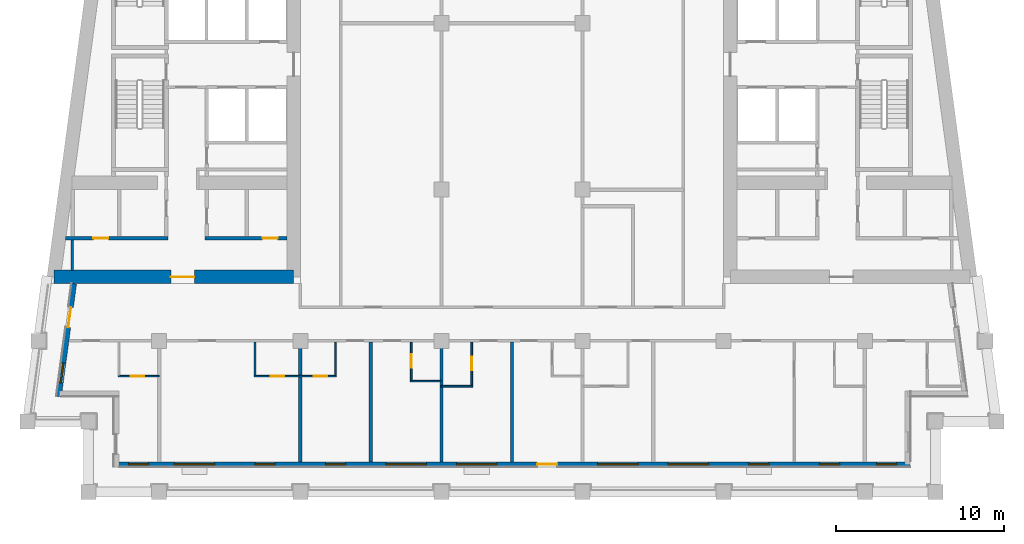
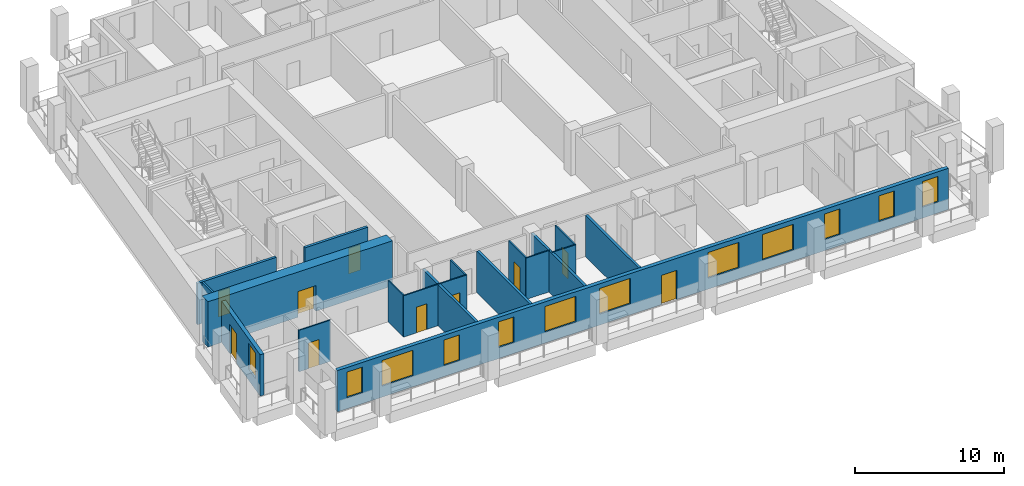
# One storey, part 2 of 13: 18 walls, 12 windows, 10 doors, 22 openings.
"""IFC4 building model written with IfcOpenShell, lengths in metres."""

import ifcopenshell
import ifcopenshell.guid

model = None  # the IFC model being written
_history = None  # IfcOwnerHistory: only IFC2X3 demands one
_inside = {}  # id of a spatial element -> (the spatial element, [elements in it])
_under = {}  # id of a project, library or spatial element -> (it, [spatial elements below it])
_declared = {}  # id of a project -> (the project, [libraries it declares])
_typed = {}  # id of a type object -> (the type object, [elements of that type])
_made_of = {}  # id of a material, layer set ... -> (it, [elements and type objects made of it])


def new_model(schema):
    """Start an empty IFC model of exactly this schema.

    Asked for "IFC4X3", IfcOpenShell would pick the latest addendum, in which some entities
    have other attributes; the version numbers below select the first issue.
    IFC2X3 requires an IfcOwnerHistory on every rooted entity: one is made here for all.
    """
    global model, _history
    if schema == "IFC4X3":
        model = ifcopenshell.file(schema_version=(4, 3, 0, 0))
    else:
        model = ifcopenshell.file(schema=schema)
    _inside.clear()
    _under.clear()
    _declared.clear()
    _typed.clear()
    _made_of.clear()
    _history = None
    if model.schema == "IFC2X3":
        org = make("IfcOrganization", Name="unknown")
        user = make(
            "IfcPersonAndOrganization",
            ThePerson=make("IfcPerson", FamilyName="unknown"),
            TheOrganization=org,
        )
        app = make(
            "IfcApplication",
            ApplicationDeveloper=org,
            Version="unknown",
            ApplicationFullName="unknown",
            ApplicationIdentifier="unknown",
        )
        _history = make(
            "IfcOwnerHistory",
            OwningUser=user,
            OwningApplication=app,
            ChangeAction="ADDED",
            CreationDate=0,
        )
    return model


def make(cls, **values):
    """One entity of the class cls with the attributes given. An attribute that is None is left unset."""
    return model.create_entity(
        cls, **{name: value for name, value in values.items() if value is not None}
    )


def rooted(cls, **values):
    """An entity with a GlobalId (a new one), such as an element, a storey or a relation."""
    return make(cls, GlobalId=ifcopenshell.guid.new(), OwnerHistory=_history, **values)


def si_unit(unit_type, name, prefix=None):
    """IfcSIUnit, for example si_unit("LENGTHUNIT", "METRE", prefix="MILLI")."""
    return make("IfcSIUnit", UnitType=unit_type, Prefix=prefix, Name=name)


def assignment(units):
    """IfcUnitAssignment: the units of a project."""
    return None if units is None else make("IfcUnitAssignment", Units=units)


def point(xyz):
    """IfcCartesianPoint."""
    return None if xyz is None else make("IfcCartesianPoint", Coordinates=xyz)


def direction(xyz):
    """IfcDirection."""
    return None if xyz is None else make("IfcDirection", DirectionRatios=xyz)


def frame(location, z_axis=None, x_axis=None):
    """IfcAxis2Placement3D, a coordinate frame: its origin and axes. An axis left out is left unset."""
    return make(
        "IfcAxis2Placement3D",
        Location=point(location),
        Axis=direction(z_axis),
        RefDirection=direction(x_axis),
    )


def frame_2d(location, x_axis=None):
    """IfcAxis2Placement2D, a coordinate frame in the plane: its origin and x axis."""
    return make(
        "IfcAxis2Placement2D", Location=point(location), RefDirection=direction(x_axis)
    )


def origin():
    """The frame at (0, 0, 0) with its axes left unset."""
    return frame((0.0, 0.0, 0.0))


def place(relative_to, where):
    """IfcLocalPlacement: puts the frame where relative to a parent placement (None: the world)."""
    return make(
        "IfcLocalPlacement", PlacementRelTo=relative_to, RelativePlacement=where
    )


def context(
    kind, dimensions, precision=None, world=None, true_north=None, identifier=None
):
    """IfcGeometricRepresentationContext, for example the 3D "Model" context."""
    return make(
        "IfcGeometricRepresentationContext",
        ContextIdentifier=identifier,
        ContextType=kind,
        CoordinateSpaceDimension=dimensions,
        Precision=precision,
        WorldCoordinateSystem=world,
        TrueNorth=true_north,
    )


def subcontext(parent, identifier, kind, view, scale=None):
    """IfcGeometricRepresentationSubContext, for example "Body" below "Model"."""
    return make(
        "IfcGeometricRepresentationSubContext",
        ContextIdentifier=identifier,
        ContextType=kind,
        ParentContext=parent,
        TargetScale=scale,
        TargetView=view,
    )


def project(units=None, contexts=None):
    """IfcProject with its units and contexts."""
    return rooted(
        "IfcProject",
        Name="project",
        RepresentationContexts=contexts,
        UnitsInContext=assignment(units),
    )


def spatial(cls, under=None, at=None, **own):
    """A site, building, storey or space (cls), placed at a placement, below another one or the project."""
    s = rooted(cls, ObjectPlacement=at, **own)
    if under is not None:
        _under.setdefault(under.id(), (under, []))[1].append(s)
    return s


def profile(cls, at=None, kind="AREA", **sizes):
    """A parametric profile (cls). Its sizes go by their IFC names, for example OverallWidth=200.0."""
    return make(cls, ProfileType=kind, Position=at, **sizes)


def rectangle(**sizes):
    """IfcRectangleProfileDef."""
    return profile("IfcRectangleProfileDef", **sizes)


def extrude(swept, where, along, depth):
    """IfcExtrudedAreaSolid: the profile swept, set in the frame where, extruded along a direction by depth."""
    return make(
        "IfcExtrudedAreaSolid",
        SweptArea=swept,
        Position=where,
        ExtrudedDirection=direction(along),
        Depth=depth,
    )


def shape(context_of_items, identifier, shape_type, items):
    """IfcShapeRepresentation: the items that make up one representation, for example the "Body"."""
    return make(
        "IfcShapeRepresentation",
        ContextOfItems=context_of_items,
        RepresentationIdentifier=identifier,
        RepresentationType=shape_type,
        Items=items,
    )


def material(Name=None, Category=None):
    """IfcMaterial."""
    return make("IfcMaterial", Name=Name, Category=Category)


def layer(
    of_material, thickness, ventilated=None, Name=None, Category=None, Priority=None
):
    """IfcMaterialLayer: one layer of a wall or slab, of a material (None: an air gap)."""
    return make(
        "IfcMaterialLayer",
        Material=of_material,
        LayerThickness=thickness,
        IsVentilated=ventilated,
        Name=Name,
        Category=Category,
        Priority=Priority,
    )


def layer_set(layers, Name=None):
    """IfcMaterialLayerSet."""
    return make("IfcMaterialLayerSet", MaterialLayers=layers, LayerSetName=Name)


def made_of(thing, what):
    """Note that an element or type object is made of a material, layer set ...; save() writes the relation."""
    if what is not None:
        _made_of.setdefault(what.id(), (what, []))[1].append(thing)
    return thing


def type_object(cls, material=None, **own):
    """A type object (cls), such as IfcWallType, which elements share."""
    return made_of(rooted(cls, **own), material)


def element(
    cls,
    number,
    at=None,
    inside=None,
    cuts=None,
    type_object=None,
    material=None,
    context=None,
    identifier="Body",
    shape_type=None,
    held_by="IfcProductDefinitionShape",
    body=None,
    shapes=None,
    **own,
):
    """One element of the class cls, such as IfcWall. Its Tag is "e" and its number.

    at: its placement. inside: the storey or other place that contains it. cuts: it is an
    opening in that element (IfcRelVoidsElement). A single representation is given by context,
    identifier, shape_type and body (its items); several are given by shapes. held_by: the class
    of the entity that holds the representations. save() writes the other relations.
    """
    e = rooted(cls, Tag="e%d" % number, ObjectPlacement=at, **own)
    if body is not None:
        shapes = [shape(context, identifier, shape_type, body)]
    if shapes is not None:
        e.Representation = make(held_by, Representations=shapes)
    if inside is not None:
        _inside.setdefault(inside.id(), (inside, []))[1].append(e)
    if cuts is not None:
        rooted(
            "IfcRelVoidsElement", RelatingBuildingElement=cuts, RelatedOpeningElement=e
        )
    if type_object is not None:
        _typed.setdefault(type_object.id(), (type_object, []))[1].append(e)
    return made_of(e, material)


def fill(opening, filler):
    """IfcRelFillsElement: the door or window that sits in an opening."""
    return rooted(
        "IfcRelFillsElement",
        RelatingOpeningElement=opening,
        RelatedBuildingElement=filler,
    )


def aggregate(whole, parts):
    """IfcRelAggregates: a whole, such as a stair, and the parts it consists of."""
    return rooted("IfcRelAggregates", RelatingObject=whole, RelatedObjects=parts)


def save(model, path):
    """Write the relations noted so far, then the file.

    IfcRelAggregates (storeys below a building ...), IfcRelContainedInSpatialStructure (elements
    in a storey), IfcRelDefinesByType, IfcRelAssociatesMaterial and IfcRelDeclares: one each for
    every whole, place, type object, material and project.
    """
    for whole, parts in _under.values():
        aggregate(whole, parts)
    for where, things in _inside.values():
        rooted(
            "IfcRelContainedInSpatialStructure",
            RelatedElements=things,
            RelatingStructure=where,
        )
    for kind, things in _typed.values():
        rooted("IfcRelDefinesByType", RelatedObjects=things, RelatingType=kind)
    for what, things in _made_of.values():
        rooted("IfcRelAssociatesMaterial", RelatedObjects=things, RelatingMaterial=what)
    for by, libraries in _declared.values():
        rooted("IfcRelDeclares", RelatingContext=by, RelatedDefinitions=libraries)
    model.write(path)


model = new_model("IFC4")

# Units and contexts
model_context = context("Model", 3, precision=1e-05, world=origin(), true_north=direction((0.0, 1.0)))
body_context = subcontext(model_context, "Body", "Model", "MODEL_VIEW")
ifc_project = project(units=[si_unit("LENGTHUNIT", "METRE"), si_unit("AREAUNIT", "SQUARE_METRE"), si_unit("VOLUMEUNIT", "CUBIC_METRE"), si_unit("PLANEANGLEUNIT", "RADIAN"), si_unit("MASSUNIT", "GRAM", prefix="KILO")], contexts=[model_context])

# Site, building, storey
site_placement = place(None, origin())
site = spatial("IfcSite", under=ifc_project, at=site_placement, CompositionType="ELEMENT")
building_placement = place(site_placement, origin())
building = spatial("IfcBuilding", under=site, at=building_placement, Name="Candeia Pilgrim Tower and Theatre", CompositionType="ELEMENT")
storey_placement = place(building_placement, frame((0.0, 0.0, 239.199951171875)))
storey = spatial("IfcBuildingStorey", under=building, at=storey_placement, Name="L58", CompositionType="ELEMENT", Elevation=239.199951171875)

# Wall, opening, door
ifc_material_1 = material(Name="Concrete C50/60", Category="concrete")
ifc_layer_1 = layer(ifc_material_1, 0.800048828125)
ifc_layer_set_1 = layer_set([ifc_layer_1], Name="Core wall 800 C50/60")
wall_type_1 = type_object("IfcWallType", Name="Core wall 800 C50/60", PredefinedType="SHEAR", material=ifc_layer_set_1)
wall_1_placement = place(storey_placement, frame((100.39990234375, 110.800048828125, 0.0), z_axis=(0.0, 0.0, 1.0), x_axis=(-1.0, 0.0, 0.0)))
wall_1 = element("IfcWall", 1, at=wall_1_placement, inside=storey, type_object=wall_type_1, Name="Core wall W3", PredefinedType="SHEAR", context=body_context, shape_type="SweptSolid", body=[
    extrude(rectangle(XDim=14.273193359375, YDim=0.800048828125, at=frame_2d((7.13671875, 0.0))), origin(), (0.0, 0.0, 1.0), 3.699951171875),
])
opening_1_placement = place(wall_1_placement, frame((5.907958984375, 0.0, 0.0)))
opening_1 = element("IfcOpeningElement", 2, at=opening_1_placement, cuts=wall_1, Name="Opening L58-D056", PredefinedType="OPENING", context=body_context, shape_type="SweptSolid", body=[
    extrude(rectangle(XDim=1.39990234375, YDim=2.10009765625, at=frame_2d((0.699951171875, 1.050048828125))), frame((0.0, 0.41015625, 0.0), z_axis=(0.0, -1.0, 0.0), x_axis=(1.0, 0.0, 0.0)), (0.0, 0.0, 1.0), 0.820068359375),
])
ifc_material_2 = material(Name="Steel fire door set", Category="steel")
door_type_1 = type_object("IfcDoorType", Name="D-1400-FD60", OperationType="NOTDEFINED", PredefinedType="DOOR", material=ifc_material_2)
door_1_placement = place(opening_1_placement, origin())
door_1 = element("IfcDoor", 3, at=door_1_placement, inside=storey, type_object=door_type_1, Name="Door L58-D056", OperationType="SINGLE_SWING_RIGHT", OverallHeight=2.10009765625, OverallWidth=1.39990234375, PredefinedType="DOOR", context=body_context, shape_type="SweptSolid", body=[
    extrude(rectangle(XDim=1.39990234375, YDim=2.10009765625, at=frame_2d((0.699951171875, 1.050048828125))), frame((0.0, 0.02490234375, 0.0), z_axis=(0.0, -1.0, 0.0), x_axis=(1.0, 0.0, 0.0)), (0.0, 0.0, 1.0), 0.050048828125),
])
fill(opening_1, door_1)

# Wall, openings, door, windows
ifc_material_3 = material(Name="Ceramic block masonry", Category="masonry")
ifc_layer_2 = layer(ifc_material_3, 0.300048828125)
ifc_layer_set_2 = layer_set([ifc_layer_2], Name="EW1 glazing-line wall 300")
wall_type_2 = type_object("IfcWallType", Name="EW1 glazing-line wall 300", PredefinedType="SOLIDWALL", material=ifc_layer_set_2)
wall_2_placement = place(storey_placement, frame((89.85009765625, 99.64990234375, 0.0), z_axis=(0.0, 0.0, 1.0), x_axis=(1.0, 0.0, 0.0)))
wall_2 = element("IfcWall", 4, at=wall_2_placement, inside=storey, type_object=wall_type_2, Name="External wall L58-0.0", PredefinedType="SOLIDWALL", context=body_context, shape_type="SweptSolid", body=[
    extrude(rectangle(XDim=47.25, YDim=0.300048828125, at=frame_2d((23.625, 0.0))), origin(), (0.0, 0.0, 1.0), 3.380126953125),
])
opening_2_placement = place(wall_2_placement, frame((0.72509765625, 0.0, 0.89990234375)))
opening_2 = element("IfcOpeningElement", 5, at=opening_2_placement, cuts=wall_2, Name="Opening W-B", PredefinedType="OPENING", context=body_context, shape_type="SweptSolid", body=[
    extrude(rectangle(XDim=1.199951171875, YDim=2.10009765625, at=frame_2d((0.60009765625, 1.050048828125))), frame((0.0, 0.16015625, 0.0), z_axis=(0.0, -1.0, 0.0), x_axis=(1.0, 0.0, 0.0)), (0.0, 0.0, 1.0), 0.320068359375),
])
opening_3_placement = place(wall_2_placement, frame((3.449951171875, 0.0, 0.89990234375)))
opening_3 = element("IfcOpeningElement", 6, at=opening_3_placement, cuts=wall_2, Name="Opening W-A", PredefinedType="OPENING", context=body_context, shape_type="SweptSolid", body=[
    extrude(rectangle(XDim=2.39990234375, YDim=2.10009765625, at=frame_2d((1.199951171875, 1.050048828125))), frame((0.0, 0.16015625, 0.0), z_axis=(0.0, -1.0, 0.0), x_axis=(1.0, 0.0, 0.0)), (0.0, 0.0, 1.0), 0.320068359375),
])
opening_4_placement = place(wall_2_placement, frame((8.25, 0.0, 0.89990234375)))
opening_4 = element("IfcOpeningElement", 7, at=opening_4_placement, cuts=wall_2, Name="Opening W-B", PredefinedType="OPENING", context=body_context, shape_type="SweptSolid", body=[
    extrude(rectangle(XDim=1.199951171875, YDim=2.10009765625, at=frame_2d((0.60009765625, 1.050048828125))), frame((0.0, 0.16015625, 0.0), z_axis=(0.0, -1.0, 0.0), x_axis=(1.0, 0.0, 0.0)), (0.0, 0.0, 1.0), 0.320068359375),
])
opening_5_placement = place(wall_2_placement, frame((12.449951171875, 0.0, 0.89990234375)))
opening_5 = element("IfcOpeningElement", 8, at=opening_5_placement, cuts=wall_2, Name="Opening W-B", PredefinedType="OPENING", context=body_context, shape_type="SweptSolid", body=[
    extrude(rectangle(XDim=1.199951171875, YDim=2.10009765625, at=frame_2d((0.60009765625, 1.050048828125))), frame((0.0, 0.16015625, 0.0), z_axis=(0.0, -1.0, 0.0), x_axis=(1.0, 0.0, 0.0)), (0.0, 0.0, 1.0), 0.320068359375),
])
opening_6_placement = place(wall_2_placement, frame((16.050048828125, 0.0, 0.89990234375)))
opening_6 = element("IfcOpeningElement", 9, at=opening_6_placement, cuts=wall_2, Name="Opening W-A", PredefinedType="OPENING", context=body_context, shape_type="SweptSolid", body=[
    extrude(rectangle(XDim=2.39990234375, YDim=2.10009765625, at=frame_2d((1.199951171875, 1.050048828125))), frame((0.0, 0.16015625, 0.0), z_axis=(0.0, -1.0, 0.0), x_axis=(1.0, 0.0, 0.0)), (0.0, 0.0, 1.0), 0.320068359375),
])
opening_7_placement = place(wall_2_placement, frame((20.25, 0.0, 0.89990234375)))
opening_7 = element("IfcOpeningElement", 10, at=opening_7_placement, cuts=wall_2, Name="Opening W-A", PredefinedType="OPENING", context=body_context, shape_type="SweptSolid", body=[
    extrude(rectangle(XDim=2.39990234375, YDim=2.10009765625, at=frame_2d((1.199951171875, 1.050048828125))), frame((0.0, 0.16015625, 0.0), z_axis=(0.0, -1.0, 0.0), x_axis=(1.0, 0.0, 0.0)), (0.0, 0.0, 1.0), 0.320068359375),
])
opening_8_placement = place(wall_2_placement, frame((25.050048828125, 0.0, 0.0)))
opening_8 = element("IfcOpeningElement", 11, at=opening_8_placement, cuts=wall_2, Name="Opening L58-ED557", PredefinedType="OPENING", context=body_context, shape_type="SweptSolid", body=[
    extrude(rectangle(XDim=1.199951171875, YDim=2.39990234375, at=frame_2d((0.60009765625, 1.199951171875))), frame((0.0, 0.16015625, 0.0), z_axis=(0.0, -1.0, 0.0), x_axis=(1.0, 0.0, 0.0)), (0.0, 0.0, 1.0), 0.320068359375),
])
opening_9_placement = place(wall_2_placement, frame((28.64990234375, 0.0, 0.89990234375)))
opening_9 = element("IfcOpeningElement", 12, at=opening_9_placement, cuts=wall_2, Name="Opening W-A", PredefinedType="OPENING", context=body_context, shape_type="SweptSolid", body=[
    extrude(rectangle(XDim=2.39990234375, YDim=2.10009765625, at=frame_2d((1.199951171875, 1.050048828125))), frame((0.0, 0.16015625, 0.0), z_axis=(0.0, -1.0, 0.0), x_axis=(1.0, 0.0, 0.0)), (0.0, 0.0, 1.0), 0.320068359375),
])
opening_10_placement = place(wall_2_placement, frame((32.85009765625, 0.0, 0.89990234375)))
opening_10 = element("IfcOpeningElement", 13, at=opening_10_placement, cuts=wall_2, Name="Opening W-A", PredefinedType="OPENING", context=body_context, shape_type="SweptSolid", body=[
    extrude(rectangle(XDim=2.39990234375, YDim=2.10009765625, at=frame_2d((1.199951171875, 1.050048828125))), frame((0.0, 0.16015625, 0.0), z_axis=(0.0, -1.0, 0.0), x_axis=(1.0, 0.0, 0.0)), (0.0, 0.0, 1.0), 0.320068359375),
])
opening_11_placement = place(wall_2_placement, frame((37.64990234375, 0.0, 0.89990234375)))
opening_11 = element("IfcOpeningElement", 14, at=opening_11_placement, cuts=wall_2, Name="Opening W-B", PredefinedType="OPENING", context=body_context, shape_type="SweptSolid", body=[
    extrude(rectangle(XDim=1.199951171875, YDim=2.10009765625, at=frame_2d((0.60009765625, 1.050048828125))), frame((0.0, 0.16015625, 0.0), z_axis=(0.0, -1.0, 0.0), x_axis=(1.0, 0.0, 0.0)), (0.0, 0.0, 1.0), 0.320068359375),
])
opening_12_placement = place(wall_2_placement, frame((41.85009765625, 0.0, 0.89990234375)))
opening_12 = element("IfcOpeningElement", 15, at=opening_12_placement, cuts=wall_2, Name="Opening W-B", PredefinedType="OPENING", context=body_context, shape_type="SweptSolid", body=[
    extrude(rectangle(XDim=1.199951171875, YDim=2.10009765625, at=frame_2d((0.60009765625, 1.050048828125))), frame((0.0, 0.16015625, 0.0), z_axis=(0.0, -1.0, 0.0), x_axis=(1.0, 0.0, 0.0)), (0.0, 0.0, 1.0), 0.320068359375),
])
opening_13_placement = place(wall_2_placement, frame((45.25, 0.0, 0.89990234375)))
opening_13 = element("IfcOpeningElement", 16, at=opening_13_placement, cuts=wall_2, Name="Opening W-B", PredefinedType="OPENING", context=body_context, shape_type="SweptSolid", body=[
    extrude(rectangle(XDim=1.199951171875, YDim=2.10009765625, at=frame_2d((0.60009765625, 1.050048828125))), frame((0.0, 0.16015625, 0.0), z_axis=(0.0, -1.0, 0.0), x_axis=(1.0, 0.0, 0.0)), (0.0, 0.0, 1.0), 0.320068359375),
])
ifc_material_4 = material(Name="Aluminium framed glazed door", Category="aluminium")
door_type_2 = type_object("IfcDoorType", Name="Loggia door 1200x2400", OperationType="DOUBLE_DOOR_SINGLE_SWING", PredefinedType="DOOR", material=ifc_material_4)
door_2_placement = place(opening_8_placement, origin())
door_2 = element("IfcDoor", 17, at=door_2_placement, inside=storey, type_object=door_type_2, Name="Loggia door L58-ED557", OperationType="DOUBLE_DOOR_SINGLE_SWING", OverallHeight=2.39990234375, OverallWidth=1.199951171875, PredefinedType="DOOR", context=body_context, shape_type="SweptSolid", body=[
    extrude(rectangle(XDim=1.199951171875, YDim=2.39990234375, at=frame_2d((0.60009765625, 1.199951171875))), frame((0.0, 0.02490234375, 0.0), z_axis=(0.0, -1.0, 0.0), x_axis=(1.0, 0.0, 0.0)), (0.0, 0.0, 1.0), 0.050048828125),
])
fill(opening_8, door_2)
ifc_material_5 = material(Name="Aluminium framed double glazing", Category="aluminium")
window_type_1 = type_object("IfcWindowType", Name="W-A window 2400x2100", PartitioningType="DOUBLE_PANEL_VERTICAL", PredefinedType="WINDOW", material=ifc_material_5)
window_1_placement = place(opening_3_placement, origin())
window_1 = element("IfcWindow", 18, at=window_1_placement, inside=storey, type_object=window_type_1, Name="Window W-A L58", OverallHeight=2.10009765625, OverallWidth=2.39990234375, PartitioningType="SINGLE_PANEL", PredefinedType="WINDOW", context=body_context, shape_type="SweptSolid", body=[
    extrude(rectangle(XDim=2.39990234375, YDim=2.10009765625, at=frame_2d((1.199951171875, 1.050048828125))), frame((0.0, 0.030029296875, 0.0), z_axis=(0.0, -1.0, 0.0), x_axis=(1.0, 0.0, 0.0)), (0.0, 0.0, 1.0), 0.06005859375),
])
fill(opening_3, window_1)
window_2_placement = place(opening_6_placement, origin())
window_2 = element("IfcWindow", 19, at=window_2_placement, inside=storey, type_object=window_type_1, Name="Window W-A L58", OverallHeight=2.10009765625, OverallWidth=2.39990234375, PartitioningType="SINGLE_PANEL", PredefinedType="WINDOW", context=body_context, shape_type="SweptSolid", body=[
    extrude(rectangle(XDim=2.39990234375, YDim=2.10009765625, at=frame_2d((1.199951171875, 1.050048828125))), frame((0.0, 0.030029296875, 0.0), z_axis=(0.0, -1.0, 0.0), x_axis=(1.0, 0.0, 0.0)), (0.0, 0.0, 1.0), 0.06005859375),
])
fill(opening_6, window_2)
window_3_placement = place(opening_7_placement, origin())
window_3 = element("IfcWindow", 20, at=window_3_placement, inside=storey, type_object=window_type_1, Name="Window W-A L58", OverallHeight=2.10009765625, OverallWidth=2.39990234375, PartitioningType="SINGLE_PANEL", PredefinedType="WINDOW", context=body_context, shape_type="SweptSolid", body=[
    extrude(rectangle(XDim=2.39990234375, YDim=2.10009765625, at=frame_2d((1.199951171875, 1.050048828125))), frame((0.0, 0.030029296875, 0.0), z_axis=(0.0, -1.0, 0.0), x_axis=(1.0, 0.0, 0.0)), (0.0, 0.0, 1.0), 0.06005859375),
])
fill(opening_7, window_3)
window_4_placement = place(opening_9_placement, origin())
window_4 = element("IfcWindow", 21, at=window_4_placement, inside=storey, type_object=window_type_1, Name="Window W-A L58", OverallHeight=2.10009765625, OverallWidth=2.39990234375, PartitioningType="SINGLE_PANEL", PredefinedType="WINDOW", context=body_context, shape_type="SweptSolid", body=[
    extrude(rectangle(XDim=2.39990234375, YDim=2.10009765625, at=frame_2d((1.199951171875, 1.050048828125))), frame((0.0, 0.030029296875, 0.0), z_axis=(0.0, -1.0, 0.0), x_axis=(1.0, 0.0, 0.0)), (0.0, 0.0, 1.0), 0.06005859375),
])
fill(opening_9, window_4)
window_5_placement = place(opening_10_placement, origin())
window_5 = element("IfcWindow", 22, at=window_5_placement, inside=storey, type_object=window_type_1, Name="Window W-A L58", OverallHeight=2.10009765625, OverallWidth=2.39990234375, PartitioningType="SINGLE_PANEL", PredefinedType="WINDOW", context=body_context, shape_type="SweptSolid", body=[
    extrude(rectangle(XDim=2.39990234375, YDim=2.10009765625, at=frame_2d((1.199951171875, 1.050048828125))), frame((0.0, 0.030029296875, 0.0), z_axis=(0.0, -1.0, 0.0), x_axis=(1.0, 0.0, 0.0)), (0.0, 0.0, 1.0), 0.06005859375),
])
fill(opening_10, window_5)
window_type_2 = type_object("IfcWindowType", Name="W-B window 1200x2100", PartitioningType="SINGLE_PANEL", PredefinedType="WINDOW", material=ifc_material_5)
window_6_placement = place(opening_2_placement, origin())
window_6 = element("IfcWindow", 23, at=window_6_placement, inside=storey, type_object=window_type_2, Name="Window W-B L58", OverallHeight=2.10009765625, OverallWidth=1.199951171875, PartitioningType="SINGLE_PANEL", PredefinedType="WINDOW", context=body_context, shape_type="SweptSolid", body=[
    extrude(rectangle(XDim=1.199951171875, YDim=2.10009765625, at=frame_2d((0.60009765625, 1.050048828125))), frame((0.0, 0.030029296875, 0.0), z_axis=(0.0, -1.0, 0.0), x_axis=(1.0, 0.0, 0.0)), (0.0, 0.0, 1.0), 0.06005859375),
])
fill(opening_2, window_6)
window_7_placement = place(opening_4_placement, origin())
window_7 = element("IfcWindow", 24, at=window_7_placement, inside=storey, type_object=window_type_2, Name="Window W-B L58", OverallHeight=2.10009765625, OverallWidth=1.199951171875, PartitioningType="SINGLE_PANEL", PredefinedType="WINDOW", context=body_context, shape_type="SweptSolid", body=[
    extrude(rectangle(XDim=1.199951171875, YDim=2.10009765625, at=frame_2d((0.60009765625, 1.050048828125))), frame((0.0, 0.030029296875, 0.0), z_axis=(0.0, -1.0, 0.0), x_axis=(1.0, 0.0, 0.0)), (0.0, 0.0, 1.0), 0.06005859375),
])
fill(opening_4, window_7)
window_8_placement = place(opening_5_placement, origin())
window_8 = element("IfcWindow", 25, at=window_8_placement, inside=storey, type_object=window_type_2, Name="Window W-B L58", OverallHeight=2.10009765625, OverallWidth=1.199951171875, PartitioningType="SINGLE_PANEL", PredefinedType="WINDOW", context=body_context, shape_type="SweptSolid", body=[
    extrude(rectangle(XDim=1.199951171875, YDim=2.10009765625, at=frame_2d((0.60009765625, 1.050048828125))), frame((0.0, 0.030029296875, 0.0), z_axis=(0.0, -1.0, 0.0), x_axis=(1.0, 0.0, 0.0)), (0.0, 0.0, 1.0), 0.06005859375),
])
fill(opening_5, window_8)
window_9_placement = place(opening_11_placement, origin())
window_9 = element("IfcWindow", 26, at=window_9_placement, inside=storey, type_object=window_type_2, Name="Window W-B L58", OverallHeight=2.10009765625, OverallWidth=1.199951171875, PartitioningType="SINGLE_PANEL", PredefinedType="WINDOW", context=body_context, shape_type="SweptSolid", body=[
    extrude(rectangle(XDim=1.199951171875, YDim=2.10009765625, at=frame_2d((0.60009765625, 1.050048828125))), frame((0.0, 0.030029296875, 0.0), z_axis=(0.0, -1.0, 0.0), x_axis=(1.0, 0.0, 0.0)), (0.0, 0.0, 1.0), 0.06005859375),
])
fill(opening_11, window_9)
window_10_placement = place(opening_12_placement, origin())
window_10 = element("IfcWindow", 27, at=window_10_placement, inside=storey, type_object=window_type_2, Name="Window W-B L58", OverallHeight=2.10009765625, OverallWidth=1.199951171875, PartitioningType="SINGLE_PANEL", PredefinedType="WINDOW", context=body_context, shape_type="SweptSolid", body=[
    extrude(rectangle(XDim=1.199951171875, YDim=2.10009765625, at=frame_2d((0.60009765625, 1.050048828125))), frame((0.0, 0.030029296875, 0.0), z_axis=(0.0, -1.0, 0.0), x_axis=(1.0, 0.0, 0.0)), (0.0, 0.0, 1.0), 0.06005859375),
])
fill(opening_12, window_10)
window_11_placement = place(opening_13_placement, origin())
window_11 = element("IfcWindow", 28, at=window_11_placement, inside=storey, type_object=window_type_2, Name="Window W-B L58", OverallHeight=2.10009765625, OverallWidth=1.199951171875, PartitioningType="SINGLE_PANEL", PredefinedType="WINDOW", context=body_context, shape_type="SweptSolid", body=[
    extrude(rectangle(XDim=1.199951171875, YDim=2.10009765625, at=frame_2d((0.60009765625, 1.050048828125))), frame((0.0, 0.030029296875, 0.0), z_axis=(0.0, -1.0, 0.0), x_axis=(1.0, 0.0, 0.0)), (0.0, 0.0, 1.0), 0.06005859375),
])
fill(opening_13, window_11)

# Wall, openings, door, window
wall_3_placement = place(storey_placement, frame((87.334228515625, 110.39990234375, 0.0), z_axis=(0.0, 0.0, 1.0), x_axis=(-0.133437175554, -0.991057273915, 0.0)))
wall_3 = element("IfcWall", 29, at=wall_3_placement, inside=storey, type_object=wall_type_2, Name="External wall L58-9.1", PredefinedType="SOLIDWALL", context=body_context, shape_type="SweptSolid", body=[
    extrude(rectangle(XDim=6.780517578125, YDim=0.300048828125, at=frame_2d((3.39013671875, 0.0))), origin(), (0.0, 0.0, 1.0), 3.380126953125),
])
opening_14_placement = place(wall_3_placement, frame((1.41796875, 0.0, 0.0)))
opening_14 = element("IfcOpeningElement", 30, at=opening_14_placement, cuts=wall_3, Name="Opening L58-ED565", PredefinedType="OPENING", context=body_context, shape_type="SweptSolid", body=[
    extrude(rectangle(XDim=1.199951171875, YDim=2.39990234375, at=frame_2d((0.60009765625, 1.199951171875))), frame((0.0, 0.16015625, 0.0), z_axis=(0.0, -1.0, 0.0), x_axis=(1.0, 0.0, 0.0)), (0.0, 0.0, 1.0), 0.320068359375),
])
opening_15_placement = place(wall_3_placement, frame((4.75830078125, 0.0, 0.89990234375)))
opening_15 = element("IfcOpeningElement", 31, at=opening_15_placement, cuts=wall_3, Name="Opening W-B", PredefinedType="OPENING", context=body_context, shape_type="SweptSolid", body=[
    extrude(rectangle(XDim=1.199951171875, YDim=2.10009765625, at=frame_2d((0.60009765625, 1.050048828125))), frame((0.0, 0.16015625, 0.0), z_axis=(0.0, -1.0, 0.0), x_axis=(1.0, 0.0, 0.0)), (0.0, 0.0, 1.0), 0.320068359375),
])
door_3_placement = place(opening_14_placement, origin())
door_3 = element("IfcDoor", 32, at=door_3_placement, inside=storey, type_object=door_type_2, Name="Loggia door L58-ED565", OperationType="DOUBLE_DOOR_SINGLE_SWING", OverallHeight=2.39990234375, OverallWidth=1.199951171875, PredefinedType="DOOR", context=body_context, shape_type="SweptSolid", body=[
    extrude(rectangle(XDim=1.199951171875, YDim=2.39990234375, at=frame_2d((0.60009765625, 1.199951171875))), frame((0.0, 0.02490234375, 0.0), z_axis=(0.0, -1.0, 0.0), x_axis=(1.0, 0.0, 0.0)), (0.0, 0.0, 1.0), 0.050048828125),
])
fill(opening_14, door_3)
window_12_placement = place(opening_15_placement, origin())
window_12 = element("IfcWindow", 33, at=window_12_placement, inside=storey, type_object=window_type_2, Name="Window W-B L58", OverallHeight=2.10009765625, OverallWidth=1.199951171875, PartitioningType="SINGLE_PANEL", PredefinedType="WINDOW", context=body_context, shape_type="SweptSolid", body=[
    extrude(rectangle(XDim=1.199951171875, YDim=2.10009765625, at=frame_2d((0.60009765625, 1.050048828125))), frame((0.0, 0.030029296875, 0.0), z_axis=(0.0, -1.0, 0.0), x_axis=(1.0, 0.0, 0.0)), (0.0, 0.0, 1.0), 0.06005859375),
])
fill(opening_15, window_12)

# Walls
ifc_material_6 = material(Name="Gypsum board partition on steel studs", Category="steel")
ifc_layer_3 = layer(ifc_material_6, 0.10009765625)
ifc_layer_set_3 = layer_set([ifc_layer_3], Name="PW-100 room partition")
wall_type_3 = type_object("IfcWallType", Name="PW-100 room partition", PredefinedType="PARTITIONING", material=ifc_layer_set_3)
wall_4_placement = place(storey_placement, frame((109.199951171875, 104.300048828125, 0.0), z_axis=(0.0, 0.0, 1.0), x_axis=(1.0, 0.0, 0.0)))
element("IfcWall", 34, at=wall_4_placement, inside=storey, type_object=wall_type_3, Name="Room partition L58-001", PredefinedType="PARTITIONING", context=body_context, shape_type="SweptSolid", body=[
    extrude(rectangle(XDim=1.85009765625, YDim=0.10009765625, at=frame_2d((0.925048828125, 0.0))), origin(), (0.0, 0.0, 1.0), 3.380126953125),
])
wall_5_placement = place(storey_placement, frame((107.35009765625, 104.60009765625, 0.0), z_axis=(0.0, 0.0, 1.0), x_axis=(1.0, 0.0, 0.0)))
element("IfcWall", 35, at=wall_5_placement, inside=storey, type_object=wall_type_3, Name="Room partition L58-005", PredefinedType="PARTITIONING", context=body_context, shape_type="SweptSolid", body=[
    extrude(rectangle(XDim=1.849853515625, YDim=0.10009765625, at=frame_2d((0.9248046875, 0.0))), origin(), (0.0, 0.0, 1.0), 3.380126953125),
])

# Wall, opening, door
wall_6_placement = place(storey_placement, frame((89.949951171875, 104.89990234375, 0.0), z_axis=(0.0, 0.0, 1.0), x_axis=(1.0, 0.0, 0.0)))
wall_6 = element("IfcWall", 36, at=wall_6_placement, inside=storey, type_object=wall_type_3, Name="Room partition L58-006", PredefinedType="PARTITIONING", context=body_context, shape_type="SweptSolid", body=[
    extrude(rectangle(XDim=2.449951171875, YDim=0.10009765625, at=frame_2d((1.22509765625, 0.0))), origin(), (0.0, 0.0, 1.0), 3.380126953125),
])
opening_16_placement = place(wall_6_placement, frame((0.760009765625, 0.0, 0.0)))
opening_16 = element("IfcOpeningElement", 37, at=opening_16_placement, cuts=wall_6, Name="Opening L58-D018", PredefinedType="OPENING", context=body_context, shape_type="SweptSolid", body=[
    extrude(rectangle(XDim=0.800048828125, YDim=2.10009765625, at=frame_2d((0.39990234375, 1.050048828125))), frame((0.0, 0.06005859375, 0.0), z_axis=(0.0, -1.0, 0.0), x_axis=(1.0, 0.0, 0.0)), (0.0, 0.0, 1.0), 0.1201171875),
])
ifc_material_7 = material(Name="Timber door leaf", Category="wood")
door_type_3 = type_object("IfcDoorType", Name="D-800", OperationType="NOTDEFINED", PredefinedType="DOOR", material=ifc_material_7)
door_4_placement = place(opening_16_placement, origin())
door_4 = element("IfcDoor", 38, at=door_4_placement, inside=storey, type_object=door_type_3, Name="Door L58-D018", OperationType="SINGLE_SWING_RIGHT", OverallHeight=2.10009765625, OverallWidth=0.800048828125, PredefinedType="DOOR", context=body_context, shape_type="SweptSolid", body=[
    extrude(rectangle(XDim=0.800048828125, YDim=2.10009765625, at=frame_2d((0.39990234375, 1.050048828125))), frame((0.0, 0.02490234375, 0.0), z_axis=(0.0, -1.0, 0.0), x_axis=(1.0, 0.0, 0.0)), (0.0, 0.0, 1.0), 0.050048828125),
])
fill(opening_16, door_4)

# Wall, openings, doors
wall_7_placement = place(storey_placement, frame((98.050048828125, 104.89990234375, 0.0), z_axis=(0.0, 0.0, 1.0), x_axis=(1.0, 0.0, 0.0)))
wall_7 = element("IfcWall", 39, at=wall_7_placement, inside=storey, type_object=wall_type_3, Name="Room partition L58-007", PredefinedType="PARTITIONING", context=body_context, shape_type="SweptSolid", body=[
    extrude(rectangle(XDim=4.89990234375, YDim=0.10009765625, at=frame_2d((2.449951171875, 0.0))), origin(), (0.0, 0.0, 1.0), 3.380126953125),
])
opening_17_placement = place(wall_7_placement, frame((1.0, 0.0, 0.0)))
opening_17 = element("IfcOpeningElement", 40, at=opening_17_placement, cuts=wall_7, Name="Opening L58-D020", PredefinedType="OPENING", context=body_context, shape_type="SweptSolid", body=[
    extrude(rectangle(XDim=0.800048828125, YDim=2.10009765625, at=frame_2d((0.39990234375, 1.050048828125))), frame((0.0, 0.06005859375, 0.0), z_axis=(0.0, -1.0, 0.0), x_axis=(1.0, 0.0, 0.0)), (0.0, 0.0, 1.0), 0.1201171875),
])
opening_18_placement = place(wall_7_placement, frame((3.550048828125, 0.0, 0.0)))
opening_18 = element("IfcOpeningElement", 41, at=opening_18_placement, cuts=wall_7, Name="Opening L58-D022", PredefinedType="OPENING", context=body_context, shape_type="SweptSolid", body=[
    extrude(rectangle(XDim=0.800048828125, YDim=2.10009765625, at=frame_2d((0.39990234375, 1.050048828125))), frame((0.0, 0.06005859375, 0.0), z_axis=(0.0, -1.0, 0.0), x_axis=(1.0, 0.0, 0.0)), (0.0, 0.0, 1.0), 0.1201171875),
])
door_5_placement = place(opening_17_placement, origin())
door_5 = element("IfcDoor", 42, at=door_5_placement, inside=storey, type_object=door_type_3, Name="Door L58-D020", OperationType="SINGLE_SWING_RIGHT", OverallHeight=2.10009765625, OverallWidth=0.800048828125, PredefinedType="DOOR", context=body_context, shape_type="SweptSolid", body=[
    extrude(rectangle(XDim=0.800048828125, YDim=2.10009765625, at=frame_2d((0.39990234375, 1.050048828125))), frame((0.0, 0.02490234375, 0.0), z_axis=(0.0, -1.0, 0.0), x_axis=(1.0, 0.0, 0.0)), (0.0, 0.0, 1.0), 0.050048828125),
])
fill(opening_17, door_5)
door_6_placement = place(opening_18_placement, origin())
door_6 = element("IfcDoor", 43, at=door_6_placement, inside=storey, type_object=door_type_3, Name="Door L58-D022", OperationType="SINGLE_SWING_RIGHT", OverallHeight=2.10009765625, OverallWidth=0.800048828125, PredefinedType="DOOR", context=body_context, shape_type="SweptSolid", body=[
    extrude(rectangle(XDim=0.800048828125, YDim=2.10009765625, at=frame_2d((0.39990234375, 1.050048828125))), frame((0.0, 0.02490234375, 0.0), z_axis=(0.0, -1.0, 0.0), x_axis=(1.0, 0.0, 0.0)), (0.0, 0.0, 1.0), 0.050048828125),
])
fill(opening_18, door_6)

# Walls
for number, where, z_axis, x_axis, name in (
    (44, (98.10009765625, 104.949951171875, 0.0), (0.0, 0.0, 1.0), (0.0, 1.0, 0.0), "Room partition L58-068"),
    (45, (102.89990234375, 104.949951171875, 0.0), (0.0, 0.0, 1.0), (0.0, 1.0, 0.0), "Room partition L58-073"),
):
    element("IfcWall", number, at=place(storey_placement, frame(where, z_axis=z_axis, x_axis=x_axis)), inside=storey, type_object=wall_type_3, Name=name, PredefinedType="PARTITIONING", context=body_context, shape_type="SweptSolid", body=[
        extrude(rectangle(XDim=1.97509765625, YDim=0.10009765625, at=frame_2d((0.987548828125, 0.0))), origin(), (0.0, 0.0, 1.0), 3.380126953125),
    ])

# Wall, opening, door
wall_8_placement = place(storey_placement, frame((107.39990234375, 104.64990234375, 0.0), z_axis=(0.0, 0.0, 1.0), x_axis=(0.0, 1.0, 0.0)))
wall_8 = element("IfcWall", 46, at=wall_8_placement, inside=storey, type_object=wall_type_3, Name="Room partition L58-078", PredefinedType="PARTITIONING", context=body_context, shape_type="SweptSolid", body=[
    extrude(rectangle(XDim=2.275146484375, YDim=0.10009765625, at=frame_2d((1.1376953125, 0.0))), origin(), (0.0, 0.0, 1.0), 3.380126953125),
])
opening_19_placement = place(wall_8_placement, frame((0.75, 0.0, 0.0)))
opening_19 = element("IfcOpeningElement", 47, at=opening_19_placement, cuts=wall_8, Name="Opening L58-D024", PredefinedType="OPENING", context=body_context, shape_type="SweptSolid", body=[
    extrude(rectangle(XDim=0.800048828125, YDim=2.10009765625, at=frame_2d((0.39990234375, 1.050048828125))), frame((0.0, 0.06005859375, 0.0), z_axis=(0.0, -1.0, 0.0), x_axis=(1.0, 0.0, 0.0)), (0.0, 0.0, 1.0), 0.1201171875),
])
door_7_placement = place(opening_19_placement, origin())
door_7 = element("IfcDoor", 48, at=door_7_placement, inside=storey, type_object=door_type_3, Name="Door L58-D024", OperationType="SINGLE_SWING_RIGHT", OverallHeight=2.10009765625, OverallWidth=0.800048828125, PredefinedType="DOOR", context=body_context, shape_type="SweptSolid", body=[
    extrude(rectangle(XDim=0.800048828125, YDim=2.10009765625, at=frame_2d((0.39990234375, 1.050048828125))), frame((0.0, 0.02490234375, 0.0), z_axis=(0.0, -1.0, 0.0), x_axis=(1.0, 0.0, 0.0)), (0.0, 0.0, 1.0), 0.050048828125),
])
fill(opening_19, door_7)

wall_9_placement = place(storey_placement, frame((111.0, 104.35009765625, 0.0), z_axis=(0.0, 0.0, 1.0), x_axis=(0.0, 1.0, 0.0)))
wall_9 = element("IfcWall", 49, at=wall_9_placement, inside=storey, type_object=wall_type_3, Name="Room partition L58-082", PredefinedType="PARTITIONING", context=body_context, shape_type="SweptSolid", body=[
    extrude(rectangle(XDim=2.574951171875, YDim=0.10009765625, at=frame_2d((1.28759765625, 0.0))), origin(), (0.0, 0.0, 1.0), 3.380126953125),
])
opening_20_placement = place(wall_9_placement, frame((0.89990234375, 0.0, 0.0)))
opening_20 = element("IfcOpeningElement", 50, at=opening_20_placement, cuts=wall_9, Name="Opening L58-D026", PredefinedType="OPENING", context=body_context, shape_type="SweptSolid", body=[
    extrude(rectangle(XDim=0.800048828125, YDim=2.10009765625, at=frame_2d((0.39990234375, 1.050048828125))), frame((0.0, 0.06005859375, 0.0), z_axis=(0.0, -1.0, 0.0), x_axis=(1.0, 0.0, 0.0)), (0.0, 0.0, 1.0), 0.1201171875),
])
door_8_placement = place(opening_20_placement, origin())
door_8 = element("IfcDoor", 51, at=door_8_placement, inside=storey, type_object=door_type_3, Name="Door L58-D026", OperationType="SINGLE_SWING_RIGHT", OverallHeight=2.10009765625, OverallWidth=0.800048828125, PredefinedType="DOOR", context=body_context, shape_type="SweptSolid", body=[
    extrude(rectangle(XDim=0.800048828125, YDim=2.10009765625, at=frame_2d((0.39990234375, 1.050048828125))), frame((0.0, 0.02490234375, 0.0), z_axis=(0.0, -1.0, 0.0), x_axis=(1.0, 0.0, 0.0)), (0.0, 0.0, 1.0), 0.050048828125),
])
fill(opening_20, door_8)

# Walls
ifc_layer_4 = layer(ifc_material_6, 0.14990234375)
ifc_layer_set_4 = layer_set([ifc_layer_4], Name="PW-150 lobby wall")
wall_type_4 = type_object("IfcWallType", Name="PW-150 lobby wall", PredefinedType="PARTITIONING", material=ifc_layer_set_4)
wall_10_placement = place(storey_placement, frame((87.22705078125, 111.199951171875, 0.0), z_axis=(0.0, 0.0, 1.0), x_axis=(0.0, 1.0, 0.0)))
element("IfcWall", 52, at=wall_10_placement, inside=storey, type_object=wall_type_4, Name="Lobby wall L58-048", PredefinedType="PARTITIONING", context=body_context, shape_type="SweptSolid", body=[
    extrude(rectangle(XDim=1.800048828125, YDim=0.14990234375, at=frame_2d((0.89990234375, 0.0))), origin(), (0.0, 0.0, 1.0), 3.380126953125),
])
ifc_layer_5 = layer(ifc_material_6, 0.199951171875)
ifc_layer_set_5 = layer_set([ifc_layer_5], Name="PW-200 party wall")
wall_type_5 = type_object("IfcWallType", Name="PW-200 party wall", PredefinedType="PARTITIONING", material=ifc_layer_set_5)
for number, where, z_axis, x_axis, name in (
    (53, (100.800048828125, 99.7900390625, 0.0), (0.0, 0.0, 1.0), (0.0, 1.0, 0.0), "Party wall L58-069"),
    (54, (105.0, 99.7900390625, 0.0), (0.0, 0.0, 1.0), (0.0, 1.0, 0.0), "Party wall L58-076"),
    (55, (109.199951171875, 99.7900390625, 0.0), (0.0, 0.0, 1.0), (0.0, 1.0, 0.0), "Party wall L58-079"),
    (56, (113.39990234375, 99.7900390625, 0.0), (0.0, 0.0, 1.0), (0.0, 1.0, 0.0), "Party wall L58-085"),
):
    element("IfcWall", number, at=place(storey_placement, frame(where, z_axis=z_axis, x_axis=x_axis)), inside=storey, type_object=wall_type_5, Name=name, PredefinedType="PARTITIONING", context=body_context, shape_type="SweptSolid", body=[
        extrude(rectangle(XDim=7.135009765625, YDim=0.199951171875, at=frame_2d((3.5673828125, 0.0))), origin(), (0.0, 0.0, 1.0), 3.380126953125),
    ])

# Wall, opening, door
ifc_material_8 = material(Name="Concrete C40/50", Category="concrete")
ifc_layer_6 = layer(ifc_material_8, 0.199951171875)
ifc_layer_set_6 = layer_set([ifc_layer_6], Name="SW-200 shaft wall")
wall_type_6 = type_object("IfcWallType", Name="SW-200 shaft wall", PredefinedType="PARTITIONING", material=ifc_layer_set_6)
wall_11_placement = place(storey_placement, frame((86.809814453125, 113.10009765625, 0.0), z_axis=(0.0, 0.0, 1.0), x_axis=(1.0, 0.0, 0.0)))
wall_11 = element("IfcWall", 57, at=wall_11_placement, inside=storey, type_object=wall_type_6, Name="Shaft wall L58-011", PredefinedType="PARTITIONING", context=body_context, shape_type="SweptSolid", body=[
    extrude(rectangle(XDim=6.1171875, YDim=0.199951171875, at=frame_2d((3.05859375, 0.0))), origin(), (0.0, 0.0, 1.0), 3.380126953125),
])
opening_21_placement = place(wall_11_placement, frame((1.6669921875, 0.0, 0.0)))
opening_21 = element("IfcOpeningElement", 58, at=opening_21_placement, cuts=wall_11, Name="Opening L58-D005", PredefinedType="OPENING", context=body_context, shape_type="SweptSolid", body=[
    extrude(rectangle(XDim=0.89990234375, YDim=2.10009765625, at=frame_2d((0.449951171875, 1.050048828125))), frame((0.0, 0.10986328125, 0.0), z_axis=(0.0, -1.0, 0.0), x_axis=(1.0, 0.0, 0.0)), (0.0, 0.0, 1.0), 0.219970703125),
])
door_type_4 = type_object("IfcDoorType", Name="D-900-FD60", OperationType="NOTDEFINED", PredefinedType="DOOR", material=ifc_material_2)
door_9_placement = place(opening_21_placement, origin())
door_9 = element("IfcDoor", 59, at=door_9_placement, inside=storey, type_object=door_type_4, Name="Door L58-D005", OperationType="SINGLE_SWING_LEFT", OverallHeight=2.10009765625, OverallWidth=0.89990234375, PredefinedType="DOOR", context=body_context, shape_type="SweptSolid", body=[
    extrude(rectangle(XDim=0.89990234375, YDim=2.10009765625, at=frame_2d((0.449951171875, 1.050048828125))), frame((0.0, 0.02490234375, 0.0), z_axis=(0.0, -1.0, 0.0), x_axis=(1.0, 0.0, 0.0)), (0.0, 0.0, 1.0), 0.050048828125),
])
fill(opening_21, door_9)

wall_12_placement = place(storey_placement, frame((95.126953125, 113.10009765625, 0.0), z_axis=(0.0, 0.0, 1.0), x_axis=(1.0, 0.0, 0.0)))
wall_12 = element("IfcWall", 60, at=wall_12_placement, inside=storey, type_object=wall_type_6, Name="Shaft wall L58-012", PredefinedType="PARTITIONING", context=body_context, shape_type="SweptSolid", body=[
    extrude(rectangle(XDim=4.873046875, YDim=0.199951171875, at=frame_2d((2.4365234375, 0.0))), origin(), (0.0, 0.0, 1.0), 3.380126953125),
])
opening_22_placement = place(wall_12_placement, frame((3.426025390625, 0.0, 0.0)))
opening_22 = element("IfcOpeningElement", 61, at=opening_22_placement, cuts=wall_12, Name="Opening L58-D008", PredefinedType="OPENING", context=body_context, shape_type="SweptSolid", body=[
    extrude(rectangle(XDim=0.89990234375, YDim=2.10009765625, at=frame_2d((0.449951171875, 1.050048828125))), frame((0.0, 0.10986328125, 0.0), z_axis=(0.0, -1.0, 0.0), x_axis=(1.0, 0.0, 0.0)), (0.0, 0.0, 1.0), 0.219970703125),
])
door_10_placement = place(opening_22_placement, origin())
door_10 = element("IfcDoor", 62, at=door_10_placement, inside=storey, type_object=door_type_4, Name="Door L58-D008", OperationType="SINGLE_SWING_RIGHT", OverallHeight=2.10009765625, OverallWidth=0.89990234375, PredefinedType="DOOR", context=body_context, shape_type="SweptSolid", body=[
    extrude(rectangle(XDim=0.89990234375, YDim=2.10009765625, at=frame_2d((0.449951171875, 1.050048828125))), frame((0.0, 0.02490234375, 0.0), z_axis=(0.0, -1.0, 0.0), x_axis=(1.0, 0.0, 0.0)), (0.0, 0.0, 1.0), 0.050048828125),
])
fill(opening_22, door_10)

save(model, "model.ifc")
